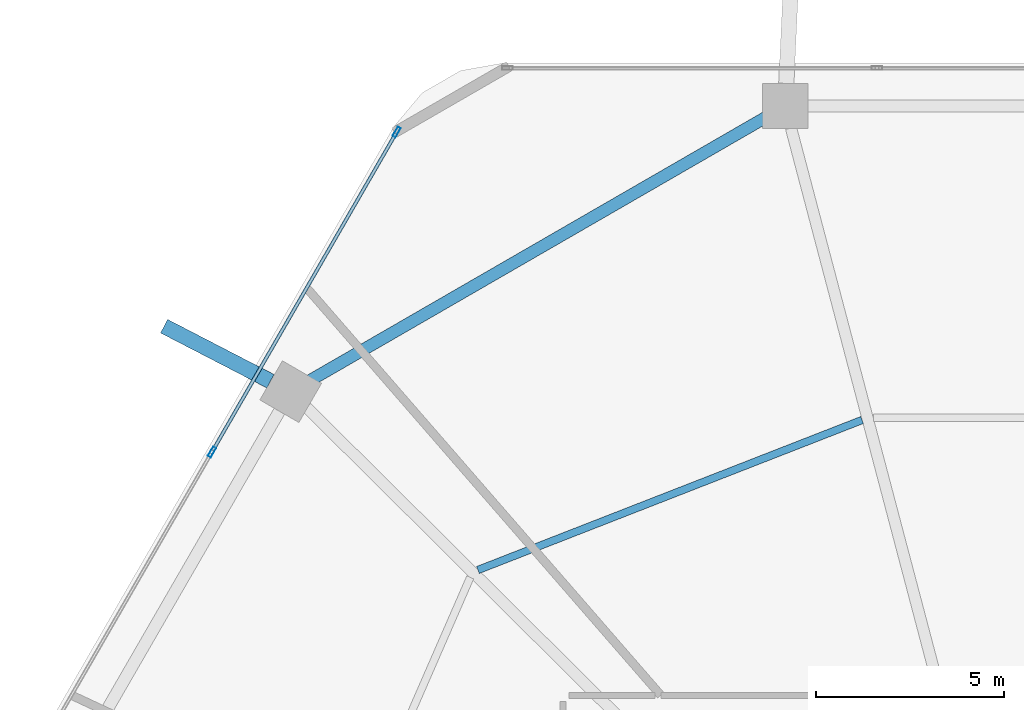
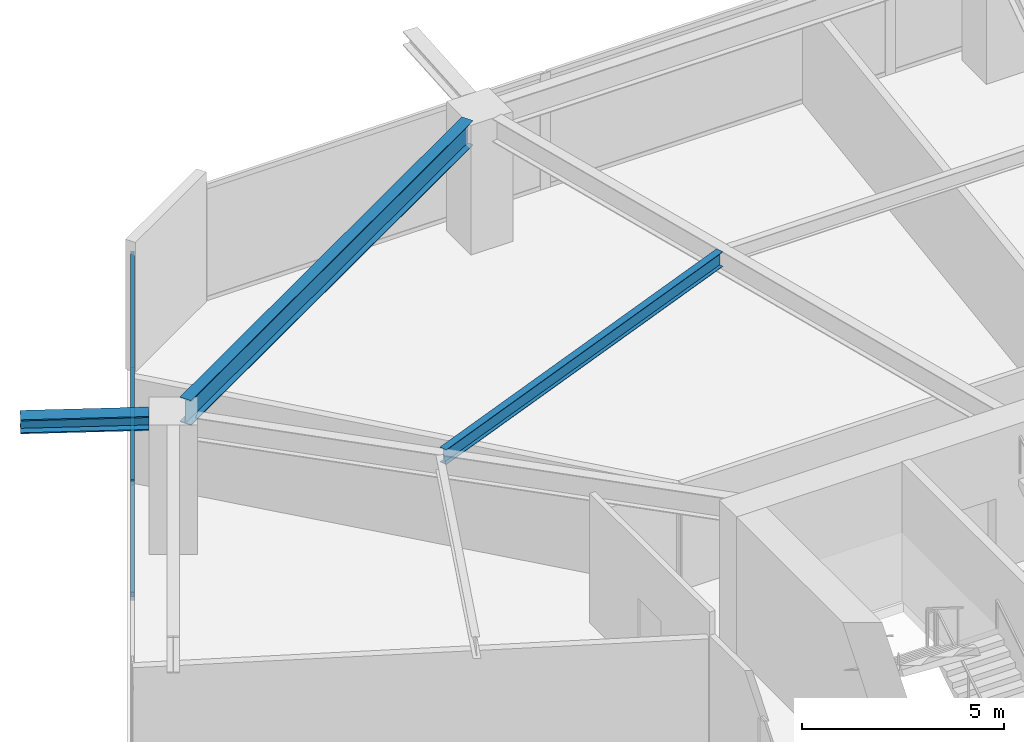
# One storey, part 14 of 27: 4 members, 3 beams, 1 element without a shape of its own.
"""IFC4 building model written with IfcOpenShell, lengths in metres."""

from ifc_helpers import new_model, si_unit, direction, frame, origin, origin_2d, place, context, subcontext, project, spatial, hollow_rectangle, i_section, extrude, material, material_profile, profile_set, type_object, element, aggregate, save


model = new_model("IFC4")

# Units and contexts
model_context = context("Model", 3, precision=1e-05, world=origin(), true_north=direction((0.0, 1.0)))
body_context = subcontext(model_context, "Body", "Model", "MODEL_VIEW")
ifc_project = project(units=[si_unit("LENGTHUNIT", "METRE"), si_unit("AREAUNIT", "SQUARE_METRE"), si_unit("VOLUMEUNIT", "CUBIC_METRE"), si_unit("PLANEANGLEUNIT", "RADIAN"), si_unit("MASSUNIT", "GRAM", prefix="KILO")], contexts=[model_context])

# Site, building, storey
site_placement = place(None, origin())
site = spatial("IfcSite", under=ifc_project, at=site_placement, CompositionType="ELEMENT")
building_placement = place(site_placement, origin())
building = spatial("IfcBuilding", under=site, at=building_placement, Name="Zuhravey Tower", CompositionType="ELEMENT")
storey_placement = place(building_placement, frame((0.0, 0.0, 12.0)))
storey = spatial("IfcBuildingStorey", under=building, at=storey_placement, Name="L03", CompositionType="ELEMENT", Elevation=12.0)

# Curtain wall, members
ifc_material_1 = material(Name="Thermally broken anodised aluminium", Category="aluminium")
curtain_wall_type = type_object("IfcCurtainWallType", Name="School Low-E Unitised Curtain Wall CW1", PredefinedType="NOTDEFINED", material=ifc_material_1)
curtain_wall_placement = place(storey_placement, origin())
curtain_wall = element("IfcCurtainWall", 1, at=curtain_wall_placement, inside=storey, type_object=curtain_wall_type, Name="L03 CW1 CW-L03-F3-1", PredefinedType="NOTDEFINED")
ifc_material_2 = material(Name="Anodised aluminium", Category="aluminium")
ifc_material_profile_1 = material_profile(ifc_material_2, hollow_rectangle(XDim=0.090087890625, YDim=0.284912109375, WallThickness=0.0048828125, at=origin_2d()), Name="ALU-RHS-90x285x5")
ifc_profile_set_1 = profile_set([ifc_material_profile_1], Name="Anodised aluminium")
member_type_1 = type_object("IfcMemberType", Name="Curtain-Wall Mullion 90x180", PredefinedType="MULLION", material=ifc_profile_set_1)
member_1_placement = place(storey_placement, frame((13.387939453125, 50.75146484375, 0.0), z_axis=(0.0, 0.0, 1.0), x_axis=(-0.86602552265, 0.499999794119, 0.0)))
member_1 = element("IfcMember", 2, at=member_1_placement, type_object=member_type_1, Name="CW1 mullion 3", PredefinedType="MULLION", context=body_context, shape_type="SweptSolid", body=[
    extrude(hollow_rectangle(XDim=0.090087890625, YDim=0.284912109375, WallThickness=0.0048828125, at=origin_2d()), origin(), (0.0, 0.0, 1.0), 3.491943359375),
])
member_2_placement = place(storey_placement, frame((18.298583984375, 59.257080078125, 0.0), z_axis=(0.0, 0.0, 1.0), x_axis=(-0.86602552265, 0.499999794119, 0.0)))
member_2 = element("IfcMember", 3, at=member_2_placement, type_object=member_type_1, Name="CW1 mullion 4", PredefinedType="MULLION", context=body_context, shape_type="SweptSolid", body=[
    extrude(hollow_rectangle(XDim=0.090087890625, YDim=0.284912109375, WallThickness=0.0048828125, at=origin_2d()), origin(), (0.0, 0.0, 1.0), 3.491943359375),
])
ifc_material_profile_2 = material_profile(ifc_material_2, hollow_rectangle(XDim=0.090087890625, YDim=0.14990234375, WallThickness=0.0048828125, at=origin_2d()), Name="ALU-RHS-90x150x5")
ifc_profile_set_2 = profile_set([ifc_material_profile_2], Name="Anodised aluminium")
member_type_2 = type_object("IfcMemberType", Name="Curtain-Wall Transom 90x150", PredefinedType="USERDEFINED", material=ifc_profile_set_2)
member_3_placement = place(storey_placement, frame((13.410400390625, 50.79052734375, 0.044921875), z_axis=(0.499989576763, 0.86603142156, 0.0), x_axis=(-0.86603142156, 0.499989576763, 0.0)))
member_3 = element("IfcMember", 4, at=member_3_placement, type_object=member_type_2, Name="CW1 transom 3.1", ObjectType="TRANSOM", PredefinedType="USERDEFINED", context=body_context, shape_type="SweptSolid", body=[
    extrude(hollow_rectangle(XDim=0.090087890625, YDim=0.14990234375, WallThickness=0.0048828125, at=origin_2d()), origin(), (0.0, 0.0, 1.0), 9.731201171875),
])
member_4_placement = place(storey_placement, frame((13.410400390625, 50.79052734375, 3.447021484375), z_axis=(0.499989576763, 0.86603142156, 0.0), x_axis=(-0.86603142156, 0.499989576763, 0.0)))
member_4 = element("IfcMember", 5, at=member_4_placement, type_object=member_type_2, Name="CW1 transom 3.2", ObjectType="TRANSOM", PredefinedType="USERDEFINED", context=body_context, shape_type="SweptSolid", body=[
    extrude(hollow_rectangle(XDim=0.090087890625, YDim=0.14990234375, WallThickness=0.0048828125, at=origin_2d()), origin(), (0.0, 0.0, 1.0), 9.731201171875),
])
aggregate(curtain_wall, [member_1, member_2, member_3, member_4])

# Beams
ifc_material_3 = material(Name="Steel SM460", Category="steel")
ifc_material_profile_3 = material_profile(ifc_material_3, i_section(OverallWidth=0.406982421875, OverallDepth=0.427978515625, WebThickness=0.02001953125, FlangeThickness=0.034912109375, at=origin_2d()), Name="H-428x407x20x35")
ifc_profile_set_3 = profile_set([ifc_material_profile_3], Name="Steel SM460")
beam_type_1 = type_object("IfcBeamType", Name="Exoskeleton Node Tie Beam H428x407", PredefinedType="BEAM", material=ifc_profile_set_3)
beam_1_placement = place(storey_placement, frame((14.94384765625, 52.634521484375, 3.7060546875), z_axis=(-0.888241375057, 0.459377034295, 0.0), x_axis=(-0.459377034295, -0.888241375057, 0.0)))
element("IfcBeam", 6, at=beam_1_placement, inside=storey, type_object=beam_type_1, Name="L03 Exoskeleton Node Tie NT1-05", PredefinedType="BEAM", context=body_context, shape_type="SweptSolid", body=[
    extrude(i_section(OverallWidth=0.406982421875, OverallDepth=0.427978515625, WebThickness=0.02001953125, FlangeThickness=0.034912109375, at=origin_2d()), origin(), (0.0, 0.0, 1.0), 3.1845703125),
])
ifc_material_4 = material(Name="Steel SM355", Category="steel")
ifc_material_profile_4 = material_profile(ifc_material_4, i_section(OverallWidth=0.320068359375, OverallDepth=0.75, WebThickness=0.013916015625, FlangeThickness=0.02490234375, at=origin_2d()), Name="H-750x320x14x25")
ifc_profile_set_4 = profile_set([ifc_material_profile_4], Name="Steel SM355")
beam_type_2 = type_object("IfcBeamType", Name="Perimeter Ring Beam H750x320", PredefinedType="BEAM", material=ifc_profile_set_4)
beam_2_placement = place(storey_placement, frame((28.10791015625, 59.64697265625, 3.544921875), z_axis=(-0.866029969761, -0.499992091414, 0.0), x_axis=(0.499992091414, -0.866029969761, 0.0)))
element("IfcBeam", 7, at=beam_2_placement, inside=storey, type_object=beam_type_2, Name="L03 PB1 BM-L03-PB-04", PredefinedType="BEAM", context=body_context, shape_type="SweptSolid", body=[
    extrude(i_section(OverallWidth=0.320068359375, OverallDepth=0.75, WebThickness=0.013916015625, FlangeThickness=0.02490234375, at=origin_2d()), origin(), (0.0, 0.0, 1.0), 13.977294921875),
])
ifc_material_profile_5 = material_profile(ifc_material_4, i_section(OverallWidth=0.199951171875, OverallDepth=0.449951171875, WebThickness=0.009033203125, FlangeThickness=0.013916015625, at=origin_2d()), Name="H-450x200x9x14")
ifc_profile_set_5 = profile_set([ifc_material_profile_5], Name="Steel SM355")
beam_type_3 = type_object("IfcBeamType", Name="Secondary Floor Joist H450x200", PredefinedType="JOIST", material=ifc_profile_set_5)
beam_3_placement = place(storey_placement, frame((30.67236328125, 51.60302734375, 3.695068359375), z_axis=(-0.931516535886, -0.363698973562, 0.0), x_axis=(0.363698973562, -0.931516535886, 0.0)))
element("IfcBeam", 8, at=beam_3_placement, inside=storey, type_object=beam_type_3, Name="L03 SJ1 BM-L03-SJ-04-1", PredefinedType="JOIST", context=body_context, shape_type="SweptSolid", body=[
    extrude(i_section(OverallWidth=0.199951171875, OverallDepth=0.449951171875, WebThickness=0.009033203125, FlangeThickness=0.013916015625, at=origin_2d()), origin(), (0.0, 0.0, 1.0), 10.963134765625),
])

save(model, "model.ifc")
